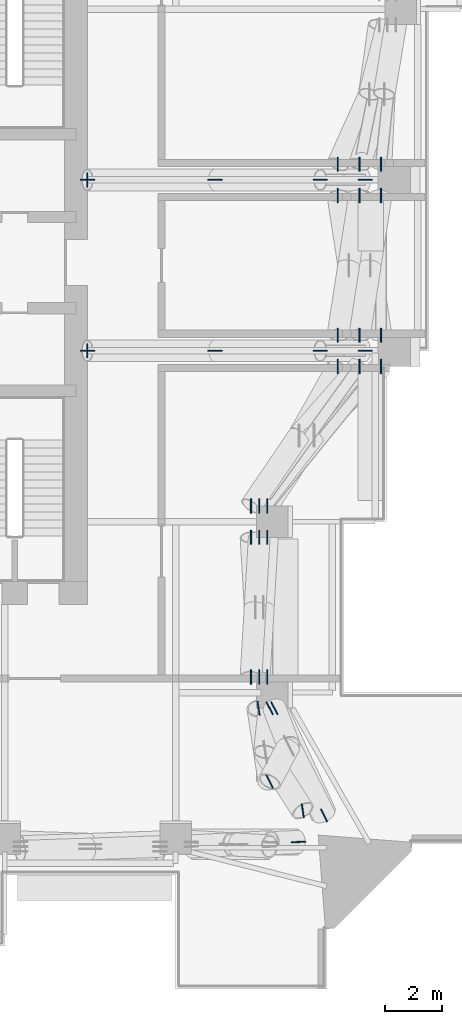
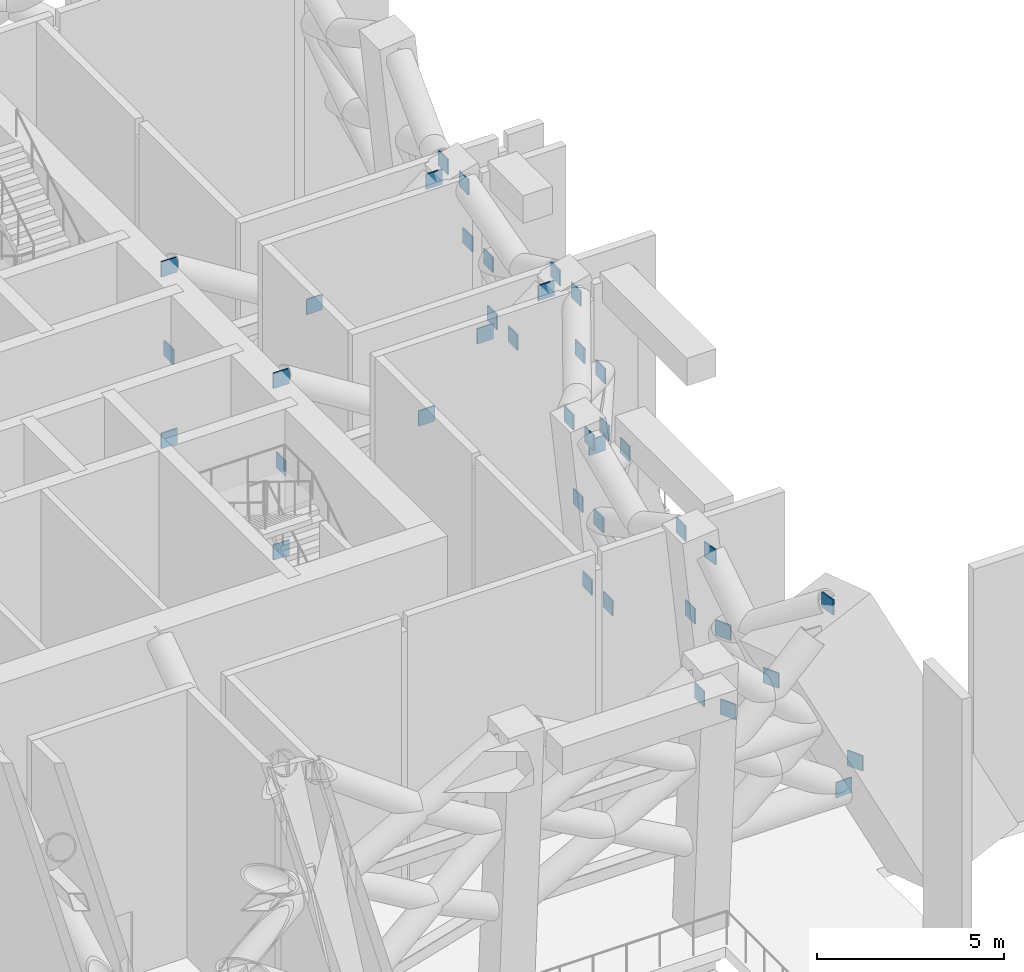
# One storey, part 13 of 19: 40 discrete accessories.
"""IFC4 building model written with IfcOpenShell, lengths in metres."""

from ifc_helpers import new_model, si_unit, direction, frame, origin, origin_2d, place, context, subcontext, project, spatial, rectangle, extrude, element, save


model = new_model("IFC4")

# Units and contexts
model_context = context("Model", 3, precision=1e-05, world=origin(), true_north=direction((0.0, 1.0)))
body_context = subcontext(model_context, "Body", "Model", "MODEL_VIEW")
ifc_project = project(units=[si_unit("LENGTHUNIT", "METRE"), si_unit("AREAUNIT", "SQUARE_METRE"), si_unit("VOLUMEUNIT", "CUBIC_METRE"), si_unit("PLANEANGLEUNIT", "RADIAN"), si_unit("MASSUNIT", "GRAM", prefix="KILO")], contexts=[model_context])

# Site, building, storey
site_placement = place(None, origin())
site = spatial("IfcSite", under=ifc_project, at=site_placement, CompositionType="ELEMENT")
building_placement = place(site_placement, origin())
building = spatial("IfcBuilding", under=site, at=building_placement, Name="Amberfall Residences", CompositionType="ELEMENT")
storey_placement = place(building_placement, frame((0.0, 0.0, 124.89990234375)))
storey = spatial("IfcBuildingStorey", under=building, at=storey_placement, Name="L34", CompositionType="ELEMENT", Elevation=124.89990234375)

# Discrete accessories
discrete_accessory_1_placement = place(storey_placement, frame((86.5, 42.39990234375, 5.4501953125), z_axis=(0.0, 0.0, 1.0), x_axis=(1.0, 0.0, 0.0)))
element("IfcDiscreteAccessory", 1, at=discrete_accessory_1_placement, inside=storey, Name="Cast-in plate L34", PredefinedType="BRACKET", context=body_context, shape_type="SweptSolid", body=[
    extrude(rectangle(XDim=0.0400390625, YDim=0.5, at=origin_2d()), origin(), (0.0, 0.0, 1.0), 0.5),
])
for number, where, z_axis, x_axis, name in (
    (2, (96.26025390625, 42.39990234375, 2.650146484375), (0.0, 0.0, 1.0), (1.0, 0.0, 0.0), "Connection plate L34"),
    (3, (90.98486328125, 42.39990234375, 5.4501953125), (0.0, 0.0, 1.0), (1.0, 0.0, 0.0), "Connection plate L34"),
    (4, (86.5, 42.39990234375, 2.650146484375), (0.0, 0.0, 1.0), (1.0, 0.0, 0.0), "Connection plate L34"),
    (5, (94.6787109375, 42.39990234375, 8.25), (0.0, 0.0, 1.0), (1.0, 0.0, 0.0), "Connection plate L34"),
    (6, (86.5, 42.39990234375, 8.25), (0.0, 0.0, 1.0), (1.0, 0.0, 0.0), "Connection plate L34"),
):
    element("IfcDiscreteAccessory", number, at=place(storey_placement, frame(where, z_axis=z_axis, x_axis=x_axis)), inside=storey, Name=name, PredefinedType="BRACKET", context=body_context, shape_type="SweptSolid", body=[
        extrude(rectangle(XDim=0.5, YDim=0.0400390625, at=origin_2d()), origin(), (0.0, 0.0, 1.0), 0.5),
    ])
discrete_accessory_2_placement = place(storey_placement, frame((86.5, 48.39990234375, 5.4501953125), z_axis=(0.0, 0.0, 1.0), x_axis=(1.0, 0.0, 0.0)))
element("IfcDiscreteAccessory", 7, at=discrete_accessory_2_placement, inside=storey, Name="Cast-in plate L34", PredefinedType="BRACKET", context=body_context, shape_type="SweptSolid", body=[
    extrude(rectangle(XDim=0.0400390625, YDim=0.5, at=origin_2d()), origin(), (0.0, 0.0, 1.0), 0.5),
])
for number, where, z_axis, x_axis, name in (
    (8, (96.26025390625, 48.39990234375, 2.650146484375), (0.0, 0.0, 1.0), (1.0, 0.0, 0.0), "Connection plate L34"),
    (9, (90.98486328125, 48.39990234375, 5.4501953125), (0.0, 0.0, 1.0), (1.0, 0.0, 0.0), "Connection plate L34"),
    (10, (86.5, 48.39990234375, 2.650146484375), (0.0, 0.0, 1.0), (1.0, 0.0, 0.0), "Connection plate L34"),
    (11, (94.6787109375, 48.39990234375, 8.25), (0.0, 0.0, 1.0), (1.0, 0.0, 0.0), "Connection plate L34"),
    (12, (86.5, 48.39990234375, 8.25), (0.0, 0.0, 1.0), (1.0, 0.0, 0.0), "Connection plate L34"),
    (13, (92.821533203125, 30.949951171875, 2.650146484375), (0.0, 0.0, 1.0), (0.0, 1.0, 0.0), "Connection plate L34"),
    (14, (92.53369140625, 35.85009765625, 5.4501953125), (0.0, 0.0, 1.0), (0.0, 1.0, 0.0), "Connection plate L34"),
    (15, (92.53369140625, 30.949951171875, 5.4501953125), (0.0, 0.0, 1.0), (0.0, 1.0, 0.0), "Connection plate L34"),
    (16, (92.821533203125, 35.85009765625, 2.650146484375), (0.0, 0.0, 1.0), (0.0, 1.0, 0.0), "Connection plate L34"),
    (17, (92.24560546875, 35.85009765625, 8.25), (0.0, 0.0, 1.0), (0.0, 1.0, 0.0), "Connection plate L34"),
    (18, (92.24560546875, 30.949951171875, 8.25), (0.0, 0.0, 1.0), (0.0, 1.0, 0.0), "Connection plate L34"),
    (19, (92.821533203125, 36.949951171875, 2.650146484375), (0.0, 0.0, 1.0), (0.0, 1.0, 0.0), "Connection plate L34"),
    (20, (96.05322265625, 41.85009765625, 5.4501953125), (0.0, 0.0, 1.0), (0.0, 1.0, 0.0), "Connection plate L34"),
    (21, (92.53369140625, 36.949951171875, 5.4501953125), (0.0, 0.0, 1.0), (0.0, 1.0, 0.0), "Connection plate L34"),
    (22, (96.810302734375, 41.85009765625, 2.650146484375), (0.0, 0.0, 1.0), (0.0, 1.0, 0.0), "Connection plate L34"),
    (23, (95.29638671875, 41.85009765625, 8.25), (0.0, 0.0, 1.0), (0.0, 1.0, 0.0), "Connection plate L34"),
    (24, (92.24560546875, 36.949951171875, 8.25), (0.0, 0.0, 1.0), (0.0, 1.0, 0.0), "Connection plate L34"),
    (25, (96.810302734375, 42.949951171875, 2.650146484375), (0.0, 0.0, 1.0), (0.0, 1.0, 0.0), "Connection plate L34"),
    (26, (96.05322265625, 47.85009765625, 5.4501953125), (0.0, 0.0, 1.0), (0.0, 1.0, 0.0), "Connection plate L34"),
    (27, (96.05322265625, 42.949951171875, 5.4501953125), (0.0, 0.0, 1.0), (0.0, 1.0, 0.0), "Connection plate L34"),
    (28, (96.810302734375, 47.85009765625, 2.650146484375), (0.0, 0.0, 1.0), (0.0, 1.0, 0.0), "Connection plate L34"),
    (29, (95.29638671875, 47.85009765625, 8.25), (0.0, 0.0, 1.0), (0.0, 1.0, 0.0), "Connection plate L34"),
    (30, (95.29638671875, 42.949951171875, 8.25), (0.0, 0.0, 1.0), (0.0, 1.0, 0.0), "Connection plate L34"),
    (31, (96.810302734375, 48.949951171875, 2.650146484375), (0.0, 0.0, 1.0), (0.0, 1.0, 0.0), "Connection plate L34"),
    (32, (96.05322265625, 48.949951171875, 5.4501953125), (0.0, 0.0, 1.0), (0.0, 1.0, 0.0), "Connection plate L34"),
    (33, (95.29638671875, 48.949951171875, 8.25), (0.0, 0.0, 1.0), (0.0, 1.0, 0.0), "Connection plate L34"),
    (34, (94.8115234375, 26.087158203125, 2.75), (0.0, 0.0, 1.0), (-0.452621477025, 0.891702752343, 0.0), "Connection plate L34"),
    (35, (92.901611328125, 29.85009765625, 5.396484375), (0.0, 0.0, 1.0), (-0.452621477025, 0.891702752343, 0.0), "Connection plate L34"),
    (36, (92.901611328125, 27.2744140625, 5.396484375), (0.0, 0.0, 1.0), (-0.452621477025, 0.891702752343, 0.0), "Connection plate L34"),
    (37, (93.06640625, 29.85009765625, 2.75), (0.0, 0.0, 1.0), (-0.452621477025, 0.891702752343, 0.0), "Connection plate L34"),
    (38, (92.509033203125, 29.85009765625, 8.04296875), (0.0, 0.0, 1.0), (-0.150639701404, 0.988588731658, 0.0), "Connection plate L34"),
    (39, (94.06298828125, 26.25439453125, 8.04296875), (0.0, 0.0, 1.0), (-0.150639701404, 0.988588731658, 0.0), "Connection plate L34"),
    (40, (93.91552734375, 25.153564453125, 2.75), (0.0, 0.0, 1.0), (-0.99913448503, -0.041596644372, 0.0), "Connection plate L34"),
):
    element("IfcDiscreteAccessory", number, at=place(storey_placement, frame(where, z_axis=z_axis, x_axis=x_axis)), inside=storey, Name=name, PredefinedType="BRACKET", context=body_context, shape_type="SweptSolid", body=[
        extrude(rectangle(XDim=0.5, YDim=0.0400390625, at=origin_2d()), origin(), (0.0, 0.0, 1.0), 0.5),
    ])

save(model, "model.ifc")
